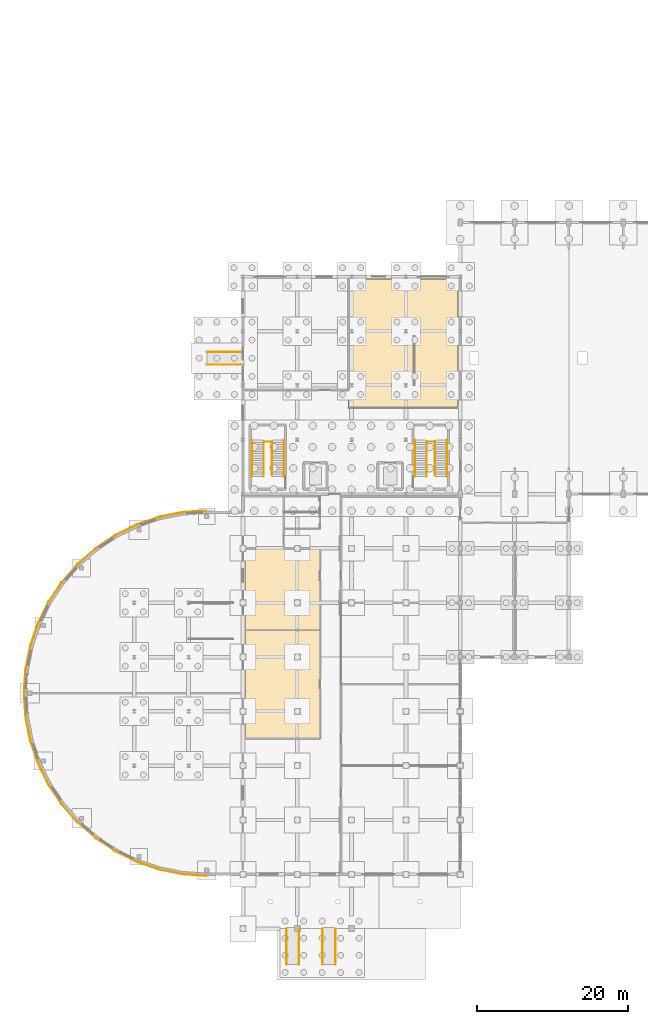
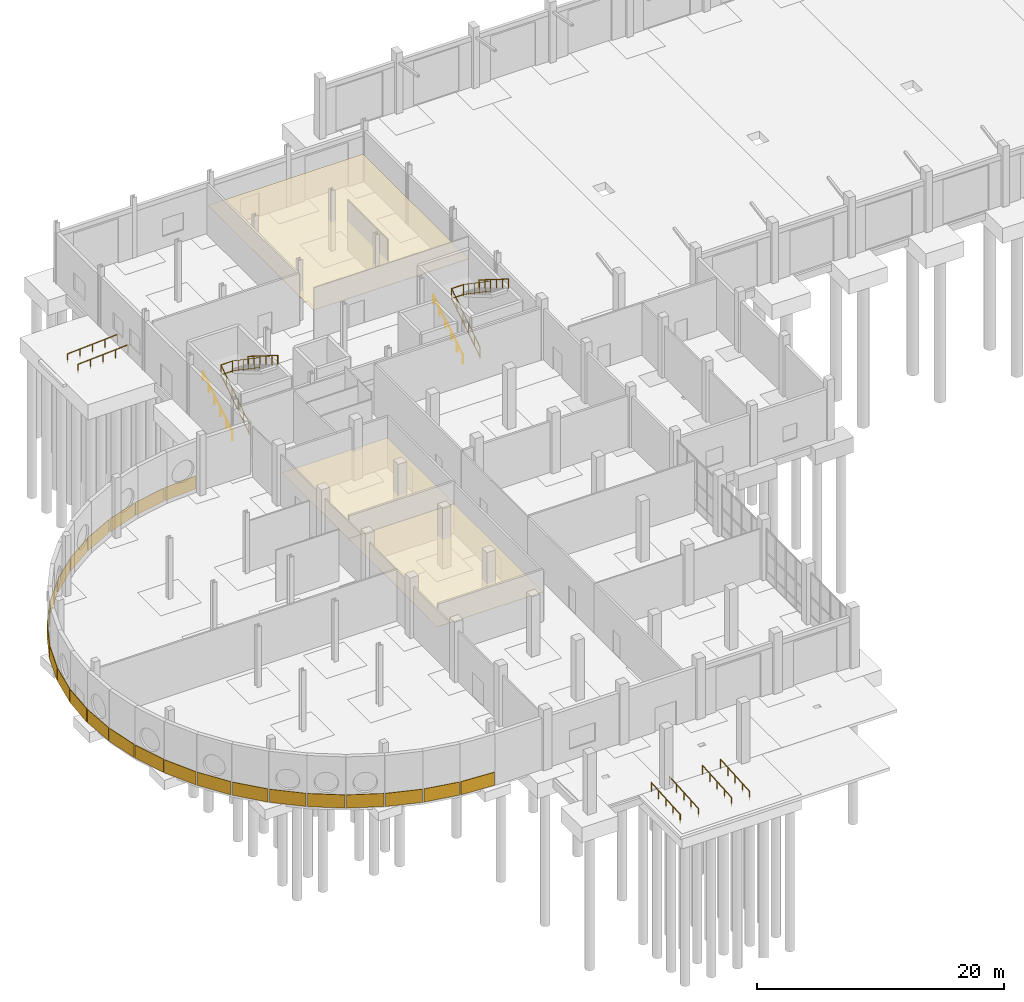
# One storey, part 41 of 45: 27 coverings, 16 railings.
"""IFC4 building model written with IfcOpenShell, lengths in metres."""

from ifc_helpers import new_model, si_unit, direction, frame, origin, origin_2d, place, context, subcontext, project, spatial, polyline, rectangle, circle, outline, extrude, material, layer, layer_set, type_object, element, save


model = new_model("IFC4")

# Units and contexts
model_context = context("Model", 3, precision=1e-05, world=origin(), true_north=direction((0.0, 1.0)))
body_context = subcontext(model_context, "Body", "Model", "MODEL_VIEW")
ifc_project = project(units=[si_unit("LENGTHUNIT", "METRE"), si_unit("AREAUNIT", "SQUARE_METRE"), si_unit("VOLUMEUNIT", "CUBIC_METRE"), si_unit("PLANEANGLEUNIT", "RADIAN"), si_unit("MASSUNIT", "GRAM", prefix="KILO")], contexts=[model_context])

# Site, building, storey
site_placement = place(None, origin())
site = spatial("IfcSite", under=ifc_project, at=site_placement, CompositionType="ELEMENT")
building_placement = place(site_placement, origin())
building = spatial("IfcBuilding", under=site, at=building_placement, Name="Yarey Park Central Fire Station", CompositionType="ELEMENT")
storey_placement = place(building_placement, origin())
storey = spatial("IfcBuildingStorey", under=building, at=storey_placement, Name="L01", CompositionType="ELEMENT", Elevation=0.0)

# Coverings
ifc_material_1 = material(Name="Honed Coral-Limestone Cladding", Category="masonry")
ifc_layer_1 = layer(ifc_material_1, 0.044921875)
ifc_layer_set_1 = layer_set([ifc_layer_1], Name="Honed Coral-Limestone Cladding")
covering_type_1 = type_object("IfcCoveringType", Name="ENV_COV_CLAD_1", PredefinedType="CLADDING", material=ifc_layer_set_1)
for number, where, z_axis, x_axis, name in (
    (1, (22.420654296875, 55.296875, 0.0498046875), (0.0, 0.0, 1.0), (-0.997858923239, -0.06540312923, 0.0), "CLAD_V1_ARC_01"),
    (2, (16.23779296875, 54.067138671875, 0.0498046875), (0.0, 0.0, 1.0), (-0.946930129495, -0.321439465303, 0.0), "CLAD_V1_ARC_03"),
    (3, (10.583740234375, 51.27880859375, 0.0498046875), (0.0, 0.0, 1.0), (-0.831469612303, -0.55557023302, 0.0), "CLAD_V1_ARC_05"),
    (4, (5.843994140625, 47.122314453125, 0.0498046875), (0.0, 0.0, 1.0), (-0.6593458151, -0.751839807479, 0.0), "CLAD_V1_ARC_07"),
    (5, (2.341796875, 41.880615234375, 0.0498046875), (0.0, 0.0, 1.0), (-0.442288690219, -0.896872741533, 0.0), "CLAD_V1_ARC_09"),
    (6, (0.3154296875, 35.9111328125, 0.0498046875), (0.0, 0.0, 1.0), (-0.195090322016, -0.980785280403, 0.0), "CLAD_V1_ARC_11"),
    (7, (-0.096923828125, 29.62060546875, 0.0498046875), (0.0, 0.0, 1.0), (0.06540312923, -0.997858923239, 0.0), "CLAD_V1_ARC_13"),
    (8, (1.1328125, 23.437744140625, 0.0498046875), (0.0, 0.0, 1.0), (0.321439465303, -0.946930129495, 0.0), "CLAD_V1_ARC_15"),
    (9, (3.921142578125, 17.78369140625, 0.0498046875), (0.0, 0.0, 1.0), (0.55557023302, -0.831469612303, 0.0), "CLAD_V1_ARC_17"),
    (10, (8.07763671875, 13.044189453125, 0.0498046875), (0.0, 0.0, 1.0), (0.751839807479, -0.6593458151, 0.0), "CLAD_V1_ARC_19"),
    (11, (13.3193359375, 9.541748046875, 0.0498046875), (0.0, 0.0, 1.0), (0.896872741533, -0.442288690219, 0.0), "CLAD_V1_ARC_21"),
    (12, (19.288818359375, 7.515380859375, 0.0498046875), (0.0, 0.0, 1.0), (0.980785280403, -0.195090322016, 0.0), "CLAD_V1_ARC_23"),
):
    element("IfcCovering", number, at=place(storey_placement, frame(where, z_axis=z_axis, x_axis=x_axis)), inside=storey, type_object=covering_type_1, Name=name, PredefinedType="CLADDING", context=body_context, shape_type="SweptSolid", body=[
        extrude(rectangle(XDim=3.039306640625, YDim=0.044921875, at=origin_2d()), origin(), (0.0, 0.0, 1.0), 1.300048828125),
    ])
ifc_layer_2 = layer(ifc_material_1, 0.06005859375)
ifc_layer_set_2 = layer_set([ifc_layer_2], Name="Honed Coral-Limestone Cladding")
covering_type_2 = type_object("IfcCoveringType", Name="ENV_COV_CLAD_2", PredefinedType="CLADDING", material=ifc_layer_set_2)
for number, where, z_axis, x_axis, name in (
    (13, (19.288818359375, 54.884521484375, 0.0498046875), (0.0, 0.0, 1.0), (-0.980785280403, -0.195090322016, 0.0), "CLAD_V1_ARC_02"),
    (14, (13.3193359375, 52.858154296875, 0.0498046875), (0.0, 0.0, 1.0), (-0.896872741533, -0.442288690219, 0.0), "CLAD_V1_ARC_04"),
    (15, (8.07763671875, 49.35595703125, 0.0498046875), (0.0, 0.0, 1.0), (-0.751839807479, -0.6593458151, 0.0), "CLAD_V1_ARC_06"),
    (16, (3.921142578125, 44.6162109375, 0.0498046875), (0.0, 0.0, 1.0), (-0.55557023302, -0.831469612303, 0.0), "CLAD_V1_ARC_08"),
    (17, (1.1328125, 38.96240234375, 0.0498046875), (0.0, 0.0, 1.0), (-0.321439465303, -0.946930129495, 0.0), "CLAD_V1_ARC_10"),
    (18, (-0.096923828125, 32.779296875, 0.0498046875), (0.0, 0.0, 1.0), (-0.06540312923, -0.997858923239, 0.0), "CLAD_V1_ARC_12"),
    (19, (0.3154296875, 26.48876953125, 0.0498046875), (0.0, 0.0, 1.0), (0.195090322016, -0.980785280403, 0.0), "CLAD_V1_ARC_14"),
    (20, (2.341796875, 20.519287109375, 0.0498046875), (0.0, 0.0, 1.0), (0.442288690219, -0.896872741533, 0.0), "CLAD_V1_ARC_16"),
    (21, (5.843994140625, 15.277587890625, 0.0498046875), (0.0, 0.0, 1.0), (0.6593458151, -0.751839807479, 0.0), "CLAD_V1_ARC_18"),
    (22, (10.583740234375, 11.12109375, 0.0498046875), (0.0, 0.0, 1.0), (0.831469612303, -0.55557023302, 0.0), "CLAD_V1_ARC_20"),
    (23, (16.23779296875, 8.3330078125, 0.0498046875), (0.0, 0.0, 1.0), (0.946930129495, -0.321439465303, 0.0), "CLAD_V1_ARC_22"),
    (24, (22.420654296875, 7.10302734375, 0.0498046875), (0.0, 0.0, 1.0), (0.997858923239, -0.06540312923, 0.0), "CLAD_V1_ARC_24"),
):
    element("IfcCovering", number, at=place(storey_placement, frame(where, z_axis=z_axis, x_axis=x_axis)), inside=storey, type_object=covering_type_2, Name=name, PredefinedType="CLADDING", context=body_context, shape_type="SweptSolid", body=[
        extrude(rectangle(XDim=3.039306640625, YDim=0.06005859375, at=origin_2d()), origin(), (0.0, 0.0, 1.0), 1.300048828125),
    ])

# Railings
ifc_material_2 = material(Name="Stainless Steel AISI 316L", Category="steel")
railing_type_1 = type_object("IfcRailingType", Name="ENV_RAIL_RAMP", PredefinedType="HANDRAIL", material=ifc_material_2)
for number, where, name in (
    (25, (34.550048828125, -4.75, -0.300048828125), "RAIL_RAMP_01_L"),
    (26, (36.25, -4.75, -0.300048828125), "RAIL_RAMP_01_R"),
    (27, (39.35009765625, -4.75, -0.300048828125), "RAIL_RAMP_02_L"),
    (28, (41.050048828125, -4.75, -0.300048828125), "RAIL_RAMP_02_R"),
):
    element("IfcRailing", number, at=place(storey_placement, frame(where)), inside=storey, type_object=railing_type_1, Name=name, PredefinedType="HANDRAIL", context=body_context, shape_type="SweptSolid", body=[
        extrude(circle(Radius=0.02392578125, at=origin_2d()), frame((0.0, 0.0, 0.8759765625), z_axis=(0.0, 0.997968381633, 0.063711139215), x_axis=(-1.0, 0.0, 0.0)), (0.0, 0.0, 1.0), 4.70947265625),
        extrude(circle(Radius=0.02099609375, at=origin_2d()), origin(), (0.0, 0.0, 1.0), 0.851806640625),
        extrude(circle(Radius=0.02099609375, at=origin_2d()), frame((0.0, 1.175048828125, 0.074951171875)), (0.0, 0.0, 1.0), 0.851806640625),
        extrude(circle(Radius=0.02099609375, at=origin_2d()), frame((0.0, 2.35009765625, 0.14990234375)), (0.0, 0.0, 1.0), 0.851806640625),
        extrude(circle(Radius=0.02099609375, at=origin_2d()), frame((0.0, 3.52490234375, 0.22509765625)), (0.0, 0.0, 1.0), 0.851806640625),
        extrude(circle(Radius=0.02099609375, at=origin_2d()), frame((0.0, 4.699951171875, 0.300048828125)), (0.0, 0.0, 1.0), 0.851806640625),
    ])
for number, where, name in (
    (29, (24.050048828125, 76.449951171875, -0.300048828125), "RAIL_RAMP_05_L"),
    (30, (24.050048828125, 74.75, -0.300048828125), "RAIL_RAMP_05_R"),
):
    element("IfcRailing", number, at=place(storey_placement, frame(where)), inside=storey, type_object=railing_type_1, Name=name, PredefinedType="HANDRAIL", context=body_context, shape_type="SweptSolid", body=[
        extrude(circle(Radius=0.02392578125, at=origin_2d()), frame((0.0, 0.0, 0.8759765625), z_axis=(0.997968381633, 0.0, 0.063711139215), x_axis=(0.0, 1.0, 0.0)), (0.0, 0.0, 1.0), 4.70947265625),
        extrude(circle(Radius=0.02099609375, at=origin_2d()), origin(), (0.0, 0.0, 1.0), 0.851806640625),
        extrude(circle(Radius=0.02099609375, at=origin_2d()), frame((1.175048828125, 0.0, 0.074951171875)), (0.0, 0.0, 1.0), 0.851806640625),
        extrude(circle(Radius=0.02099609375, at=origin_2d()), frame((2.35009765625, 0.0, 0.14990234375)), (0.0, 0.0, 1.0), 0.851806640625),
        extrude(circle(Radius=0.02099609375, at=origin_2d()), frame((3.52490234375, 0.0, 0.22509765625)), (0.0, 0.0, 1.0), 0.851806640625),
        extrude(circle(Radius=0.02099609375, at=origin_2d()), frame((4.699951171875, 0.0, 0.300048828125)), (0.0, 0.0, 1.0), 0.851806640625),
    ])

# Coverings
ifc_material_3 = material(Name="Acoustic Mineral Fibre Tile", Category="finish")
ifc_layer_3 = layer(ifc_material_3, 0.02001953125)
ifc_layer_set_3 = layer_set([ifc_layer_3], Name="Acoustic Mineral Fibre Tile")
covering_type_3 = type_object("IfcCoveringType", Name="INT_CEIL_ACT_1", PredefinedType="CEILING", material=ifc_layer_set_3)
covering_1_placement = place(storey_placement, frame((0.0, 0.0, 2.85009765625)))
element("IfcCovering", 31, at=covering_1_placement, inside=storey, type_object=covering_type_3, Name="CEIL_SPC_L01_FCC", PredefinedType="CEILING", context=body_context, shape_type="SweptSolid", body=[
    extrude(outline(polyline([(29.090087890625, 39.590087890625), (39.010009765625, 39.590087890625), (39.010009765625, 50.409912109375), (29.090087890625, 50.409912109375), (29.090087890625, 39.590087890625)])), origin(), (0.0, 0.0, 1.0), 0.02001953125),
])
ifc_layer_4 = layer(ifc_material_3, 0.031982421875)
ifc_layer_set_4 = layer_set([ifc_layer_4], Name="Acoustic Mineral Fibre Tile")
covering_type_4 = type_object("IfcCoveringType", Name="INT_CEIL_ACT_2", PredefinedType="CEILING", material=ifc_layer_set_4)
covering_2_placement = place(storey_placement, frame((0.0, 0.0, 2.85009765625)))
element("IfcCovering", 32, at=covering_2_placement, inside=storey, type_object=covering_type_4, Name="CEIL_SPC_L01_WATCH", PredefinedType="CEILING", context=body_context, shape_type="SweptSolid", body=[
    extrude(outline(polyline([(29.090087890625, 25.18994140625), (39.010009765625, 25.18994140625), (39.010009765625, 39.610107421875), (29.090087890625, 39.610107421875), (29.090087890625, 25.18994140625)])), origin(), (0.0, 0.0, 1.0), 0.031982421875),
])
covering_3_placement = place(storey_placement, frame((0.0, 0.0, 2.85009765625)))
element("IfcCovering", 33, at=covering_3_placement, inside=storey, type_object=covering_type_4, Name="CEIL_SPC_L01_MUSTER", PredefinedType="CEILING", context=body_context, shape_type="SweptSolid", body=[
    extrude(outline(polyline([(42.7900390625, 68.989990234375), (57.31005859375, 68.989990234375), (57.31005859375, 86.110107421875), (42.7900390625, 86.110107421875), (42.7900390625, 68.989990234375)])), origin(), (0.0, 0.0, 1.0), 0.031982421875),
])

# Railings
ifc_material_4 = material(Name="Galvanized Steel Balustrade", Category="steel")
railing_type_2 = type_object("IfcRailingType", Name="INT_RAIL_GUARD112", PredefinedType="BALUSTRADE", material=ifc_material_4)
railing_1_placement = place(storey_placement, frame((31.550048828125, 59.949951171875, 0.0)))
element("IfcRailing", 34, at=railing_1_placement, inside=storey, type_object=railing_type_2, Name="GRD_C3_L01_F1", PredefinedType="BALUSTRADE", context=body_context, shape_type="SweptSolid", body=[
    extrude(circle(Radius=0.02392578125, at=origin_2d()), frame((0.0, 0.0, 1.09619140625), z_axis=(0.0, 0.837615903066, 0.546259644245), x_axis=(-1.0, 0.0, 0.0)), (0.0, 0.0, 1.0), 5.491943359375),
    extrude(circle(Radius=0.02392578125, at=origin_2d()), frame((0.0, 0.0, 0.1201171875), z_axis=(0.0, 0.837615903066, 0.546259644245), x_axis=(-1.0, 0.0, 0.0)), (0.0, 0.0, 1.0), 5.491943359375),
    extrude(circle(Radius=0.02099609375, at=origin_2d()), origin(), (0.0, 0.0, 1.0), 1.072021484375),
    extrude(circle(Radius=0.02099609375, at=origin_2d()), frame((0.0, 0.919921875, 0.60009765625)), (0.0, 0.0, 1.0), 1.072021484375),
    extrude(circle(Radius=0.02099609375, at=origin_2d()), frame((0.0, 1.840087890625, 1.199951171875)), (0.0, 0.0, 1.0), 1.072021484375),
    extrude(circle(Radius=0.02099609375, at=origin_2d()), frame((0.0, 2.760009765625, 1.800048828125)), (0.0, 0.0, 1.0), 1.072021484375),
    extrude(circle(Radius=0.02099609375, at=origin_2d()), frame((0.0, 3.68017578125, 2.39990234375)), (0.0, 0.0, 1.0), 1.072021484375),
    extrude(circle(Radius=0.02099609375, at=origin_2d()), frame((0.0, 4.60009765625, 3.0)), (0.0, 0.0, 1.0), 1.072021484375),
])
railing_2_placement = place(storey_placement, frame((32.64990234375, 64.550048828125, 3.0)))
element("IfcRailing", 35, at=railing_2_placement, inside=storey, type_object=railing_type_2, Name="GRD_C3_L01_F2", PredefinedType="BALUSTRADE", context=body_context, shape_type="SweptSolid", body=[
    extrude(circle(Radius=0.02392578125, at=origin_2d()), frame((0.0, 0.0, 1.09619140625), z_axis=(0.0, -0.826236071711, 0.563324022037), x_axis=(1.0, 0.0, 0.0)), (0.0, 0.0, 1.0), 5.325439453125),
    extrude(circle(Radius=0.02392578125, at=origin_2d()), frame((0.0, 0.0, 0.1201171875), z_axis=(0.0, -0.826236071711, 0.563324022037), x_axis=(1.0, 0.0, 0.0)), (0.0, 0.0, 1.0), 5.325439453125),
    extrude(circle(Radius=0.02099609375, at=origin_2d()), origin(), (0.0, 0.0, 1.0), 1.072021484375),
    extrude(circle(Radius=0.02099609375, at=origin_2d()), frame((0.0, -0.880126953125, 0.60009765625)), (0.0, 0.0, 1.0), 1.072021484375),
    extrude(circle(Radius=0.02099609375, at=origin_2d()), frame((0.0, -1.760009765625, 1.199951171875)), (0.0, 0.0, 1.0), 1.072021484375),
    extrude(circle(Radius=0.02099609375, at=origin_2d()), frame((0.0, -2.64013671875, 1.800048828125)), (0.0, 0.0, 1.0), 1.072021484375),
    extrude(circle(Radius=0.02099609375, at=origin_2d()), frame((0.0, -3.52001953125, 2.39990234375)), (0.0, 0.0, 1.0), 1.072021484375),
    extrude(circle(Radius=0.02099609375, at=origin_2d()), frame((0.0, -4.400146484375, 3.0)), (0.0, 0.0, 1.0), 1.072021484375),
])
railing_3_placement = place(storey_placement, frame((31.550048828125, 64.530029296875, 3.0)))
element("IfcRailing", 36, at=railing_3_placement, inside=storey, type_object=railing_type_2, Name="GRD_C3_L01_SLOT_MID", PredefinedType="BALUSTRADE", context=body_context, shape_type="SweptSolid", body=[
    extrude(circle(Radius=0.02392578125, at=origin_2d()), frame((0.0, 0.0, 1.09619140625), z_axis=(1.0, 0.0, 0.0), x_axis=(0.0, 1.0, 0.0)), (0.0, 0.0, 1.0), 1.099853515625),
    extrude(circle(Radius=0.02392578125, at=origin_2d()), frame((0.0, 0.0, 0.1201171875), z_axis=(1.0, 0.0, 0.0), x_axis=(0.0, 1.0, 0.0)), (0.0, 0.0, 1.0), 1.099853515625),
    extrude(circle(Radius=0.02099609375, at=origin_2d()), origin(), (0.0, 0.0, 1.0), 1.072021484375),
    extrude(circle(Radius=0.02099609375, at=origin_2d()), frame((1.099853515625, 0.0, 0.0)), (0.0, 0.0, 1.0), 1.072021484375),
])
railing_4_placement = place(storey_placement, frame((53.14990234375, 59.949951171875, 0.0)))
element("IfcRailing", 37, at=railing_4_placement, inside=storey, type_object=railing_type_2, Name="GRD_C4_L01_F1", PredefinedType="BALUSTRADE", context=body_context, shape_type="SweptSolid", body=[
    extrude(circle(Radius=0.02392578125, at=origin_2d()), frame((0.0, 0.0, 1.09619140625), z_axis=(0.0, 0.837615903066, 0.546259644245), x_axis=(-1.0, 0.0, 0.0)), (0.0, 0.0, 1.0), 5.491943359375),
    extrude(circle(Radius=0.02392578125, at=origin_2d()), frame((0.0, 0.0, 0.1201171875), z_axis=(0.0, 0.837615903066, 0.546259644245), x_axis=(-1.0, 0.0, 0.0)), (0.0, 0.0, 1.0), 5.491943359375),
    extrude(circle(Radius=0.02099609375, at=origin_2d()), origin(), (0.0, 0.0, 1.0), 1.072021484375),
    extrude(circle(Radius=0.02099609375, at=origin_2d()), frame((0.0, 0.919921875, 0.60009765625)), (0.0, 0.0, 1.0), 1.072021484375),
    extrude(circle(Radius=0.02099609375, at=origin_2d()), frame((0.0, 1.840087890625, 1.199951171875)), (0.0, 0.0, 1.0), 1.072021484375),
    extrude(circle(Radius=0.02099609375, at=origin_2d()), frame((0.0, 2.760009765625, 1.800048828125)), (0.0, 0.0, 1.0), 1.072021484375),
    extrude(circle(Radius=0.02099609375, at=origin_2d()), frame((0.0, 3.68017578125, 2.39990234375)), (0.0, 0.0, 1.0), 1.072021484375),
    extrude(circle(Radius=0.02099609375, at=origin_2d()), frame((0.0, 4.60009765625, 3.0)), (0.0, 0.0, 1.0), 1.072021484375),
])
railing_5_placement = place(storey_placement, frame((54.25, 64.550048828125, 3.0)))
element("IfcRailing", 38, at=railing_5_placement, inside=storey, type_object=railing_type_2, Name="GRD_C4_L01_F2", PredefinedType="BALUSTRADE", context=body_context, shape_type="SweptSolid", body=[
    extrude(circle(Radius=0.02392578125, at=origin_2d()), frame((0.0, 0.0, 1.09619140625), z_axis=(0.0, -0.826236071711, 0.563324022037), x_axis=(1.0, 0.0, 0.0)), (0.0, 0.0, 1.0), 5.325439453125),
    extrude(circle(Radius=0.02392578125, at=origin_2d()), frame((0.0, 0.0, 0.1201171875), z_axis=(0.0, -0.826236071711, 0.563324022037), x_axis=(1.0, 0.0, 0.0)), (0.0, 0.0, 1.0), 5.325439453125),
    extrude(circle(Radius=0.02099609375, at=origin_2d()), origin(), (0.0, 0.0, 1.0), 1.072021484375),
    extrude(circle(Radius=0.02099609375, at=origin_2d()), frame((0.0, -0.880126953125, 0.60009765625)), (0.0, 0.0, 1.0), 1.072021484375),
    extrude(circle(Radius=0.02099609375, at=origin_2d()), frame((0.0, -1.760009765625, 1.199951171875)), (0.0, 0.0, 1.0), 1.072021484375),
    extrude(circle(Radius=0.02099609375, at=origin_2d()), frame((0.0, -2.64013671875, 1.800048828125)), (0.0, 0.0, 1.0), 1.072021484375),
    extrude(circle(Radius=0.02099609375, at=origin_2d()), frame((0.0, -3.52001953125, 2.39990234375)), (0.0, 0.0, 1.0), 1.072021484375),
    extrude(circle(Radius=0.02099609375, at=origin_2d()), frame((0.0, -4.400146484375, 3.0)), (0.0, 0.0, 1.0), 1.072021484375),
])
railing_6_placement = place(storey_placement, frame((53.14990234375, 64.530029296875, 3.0)))
element("IfcRailing", 39, at=railing_6_placement, inside=storey, type_object=railing_type_2, Name="GRD_C4_L01_SLOT_MID", PredefinedType="BALUSTRADE", context=body_context, shape_type="SweptSolid", body=[
    extrude(circle(Radius=0.02392578125, at=origin_2d()), frame((0.0, 0.0, 1.09619140625), z_axis=(1.0, 0.0, 0.0), x_axis=(0.0, 1.0, 0.0)), (0.0, 0.0, 1.0), 1.10009765625),
    extrude(circle(Radius=0.02392578125, at=origin_2d()), frame((0.0, 0.0, 0.1201171875), z_axis=(1.0, 0.0, 0.0), x_axis=(0.0, 1.0, 0.0)), (0.0, 0.0, 1.0), 1.10009765625),
    extrude(circle(Radius=0.02099609375, at=origin_2d()), origin(), (0.0, 0.0, 1.0), 1.072021484375),
    extrude(circle(Radius=0.02099609375, at=origin_2d()), frame((1.10009765625, 0.0, 0.0)), (0.0, 0.0, 1.0), 1.072021484375),
])
railing_type_3 = type_object("IfcRailingType", Name="INT_RAIL_HAND090", PredefinedType="HANDRAIL", material=ifc_material_2)
railing_7_placement = place(storey_placement, frame((29.97998046875, 59.949951171875, 0.0)))
element("IfcRailing", 40, at=railing_7_placement, inside=storey, type_object=railing_type_3, Name="HR_C3_L01_F1", PredefinedType="HANDRAIL", context=body_context, shape_type="SweptSolid", body=[
    extrude(circle(Radius=0.02392578125, at=origin_2d()), frame((0.0, 0.0, 0.8759765625), z_axis=(0.0, 0.848000727092, 0.529995063044), x_axis=(-1.0, 0.0, 0.0)), (0.0, 0.0, 1.0), 5.660400390625),
    extrude(circle(Radius=0.02099609375, at=origin_2d()), origin(), (0.0, 0.0, 1.0), 0.851806640625),
    extrude(circle(Radius=0.02099609375, at=origin_2d()), frame((0.0, 0.9599609375, 0.60009765625)), (0.0, 0.0, 1.0), 0.851806640625),
    extrude(circle(Radius=0.02099609375, at=origin_2d()), frame((0.0, 1.919921875, 1.199951171875)), (0.0, 0.0, 1.0), 0.851806640625),
    extrude(circle(Radius=0.02099609375, at=origin_2d()), frame((0.0, 2.880126953125, 1.800048828125)), (0.0, 0.0, 1.0), 0.851806640625),
    extrude(circle(Radius=0.02099609375, at=origin_2d()), frame((0.0, 3.840087890625, 2.39990234375)), (0.0, 0.0, 1.0), 0.851806640625),
    extrude(circle(Radius=0.02099609375, at=origin_2d()), frame((0.0, 4.800048828125, 3.0)), (0.0, 0.0, 1.0), 0.851806640625),
])
railing_8_placement = place(storey_placement, frame((34.219970703125, 64.75, 3.0)))
element("IfcRailing", 41, at=railing_8_placement, inside=storey, type_object=railing_type_3, Name="HR_C3_L01_F2", PredefinedType="HANDRAIL", context=body_context, shape_type="SweptSolid", body=[
    extrude(circle(Radius=0.02392578125, at=origin_2d()), frame((0.0, 0.0, 0.8759765625), z_axis=(0.0, -0.848000727092, 0.529995063044), x_axis=(1.0, 0.0, 0.0)), (0.0, 0.0, 1.0), 5.660400390625),
    extrude(circle(Radius=0.02099609375, at=origin_2d()), origin(), (0.0, 0.0, 1.0), 0.851806640625),
    extrude(circle(Radius=0.02099609375, at=origin_2d()), frame((0.0, -0.9599609375, 0.60009765625)), (0.0, 0.0, 1.0), 0.851806640625),
    extrude(circle(Radius=0.02099609375, at=origin_2d()), frame((0.0, -1.919921875, 1.199951171875)), (0.0, 0.0, 1.0), 0.851806640625),
    extrude(circle(Radius=0.02099609375, at=origin_2d()), frame((0.0, -2.880126953125, 1.800048828125)), (0.0, 0.0, 1.0), 0.851806640625),
    extrude(circle(Radius=0.02099609375, at=origin_2d()), frame((0.0, -3.840087890625, 2.39990234375)), (0.0, 0.0, 1.0), 0.851806640625),
    extrude(circle(Radius=0.02099609375, at=origin_2d()), frame((0.0, -4.800048828125, 3.0)), (0.0, 0.0, 1.0), 0.851806640625),
])
railing_9_placement = place(storey_placement, frame((51.580078125, 59.949951171875, 0.0)))
element("IfcRailing", 42, at=railing_9_placement, inside=storey, type_object=railing_type_3, Name="HR_C4_L01_F1", PredefinedType="HANDRAIL", context=body_context, shape_type="SweptSolid", body=[
    extrude(circle(Radius=0.02392578125, at=origin_2d()), frame((0.0, 0.0, 0.8759765625), z_axis=(0.0, 0.848000727092, 0.529995063044), x_axis=(-1.0, 0.0, 0.0)), (0.0, 0.0, 1.0), 5.660400390625),
    extrude(circle(Radius=0.02099609375, at=origin_2d()), origin(), (0.0, 0.0, 1.0), 0.851806640625),
    extrude(circle(Radius=0.02099609375, at=origin_2d()), frame((0.0, 0.9599609375, 0.60009765625)), (0.0, 0.0, 1.0), 0.851806640625),
    extrude(circle(Radius=0.02099609375, at=origin_2d()), frame((0.0, 1.919921875, 1.199951171875)), (0.0, 0.0, 1.0), 0.851806640625),
    extrude(circle(Radius=0.02099609375, at=origin_2d()), frame((0.0, 2.880126953125, 1.800048828125)), (0.0, 0.0, 1.0), 0.851806640625),
    extrude(circle(Radius=0.02099609375, at=origin_2d()), frame((0.0, 3.840087890625, 2.39990234375)), (0.0, 0.0, 1.0), 0.851806640625),
    extrude(circle(Radius=0.02099609375, at=origin_2d()), frame((0.0, 4.800048828125, 3.0)), (0.0, 0.0, 1.0), 0.851806640625),
])
railing_10_placement = place(storey_placement, frame((55.820068359375, 64.75, 3.0)))
element("IfcRailing", 43, at=railing_10_placement, inside=storey, type_object=railing_type_3, Name="HR_C4_L01_F2", PredefinedType="HANDRAIL", context=body_context, shape_type="SweptSolid", body=[
    extrude(circle(Radius=0.02392578125, at=origin_2d()), frame((0.0, 0.0, 0.8759765625), z_axis=(0.0, -0.848000727092, 0.529995063044), x_axis=(1.0, 0.0, 0.0)), (0.0, 0.0, 1.0), 5.660400390625),
    extrude(circle(Radius=0.02099609375, at=origin_2d()), origin(), (0.0, 0.0, 1.0), 0.851806640625),
    extrude(circle(Radius=0.02099609375, at=origin_2d()), frame((0.0, -0.9599609375, 0.60009765625)), (0.0, 0.0, 1.0), 0.851806640625),
    extrude(circle(Radius=0.02099609375, at=origin_2d()), frame((0.0, -1.919921875, 1.199951171875)), (0.0, 0.0, 1.0), 0.851806640625),
    extrude(circle(Radius=0.02099609375, at=origin_2d()), frame((0.0, -2.880126953125, 1.800048828125)), (0.0, 0.0, 1.0), 0.851806640625),
    extrude(circle(Radius=0.02099609375, at=origin_2d()), frame((0.0, -3.840087890625, 2.39990234375)), (0.0, 0.0, 1.0), 0.851806640625),
    extrude(circle(Radius=0.02099609375, at=origin_2d()), frame((0.0, -4.800048828125, 3.0)), (0.0, 0.0, 1.0), 0.851806640625),
])

save(model, "model.ifc")
